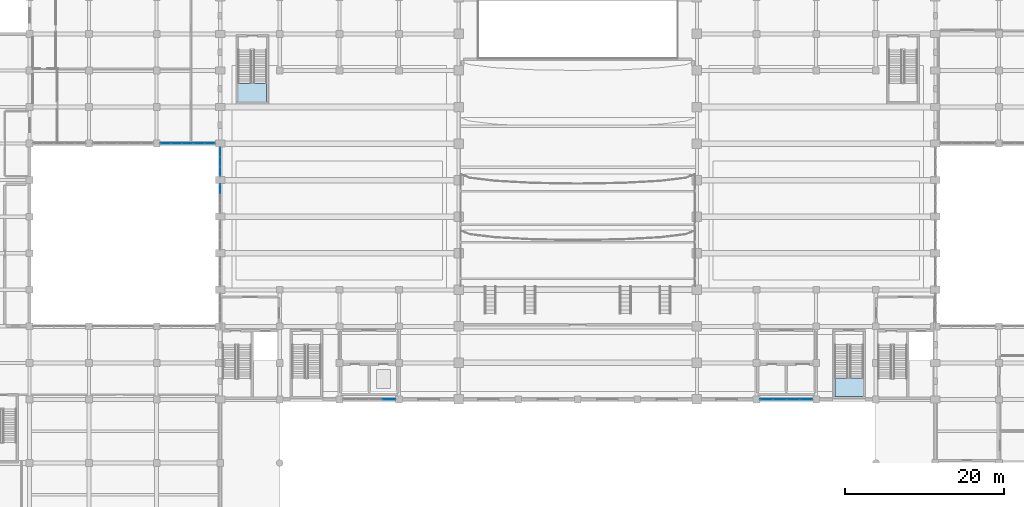
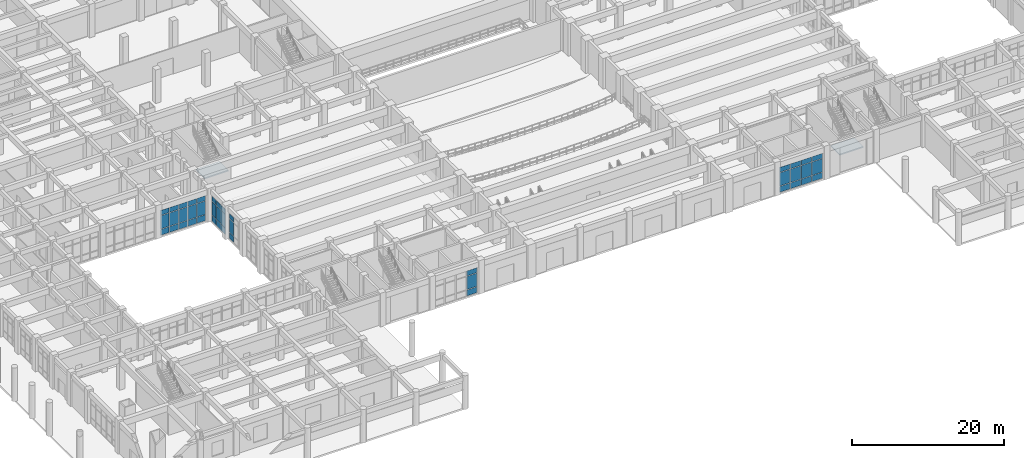
# One storey, part 55 of 84: 42 plates, 2 slabs, 7 elements without a shape of their own.
"""IFC4 building model written with IfcOpenShell, lengths in metres."""

from ifc_helpers import new_model, si_unit, direction, frame, origin, origin_2d, place, context, subcontext, project, spatial, polyline, rectangle, outline, extrude, material, layer, layer_set, type_object, element, aggregate, save


model = new_model("IFC4")

# Units and contexts
model_context = context("Model", 3, precision=1e-05, world=origin(), true_north=direction((0.0, 1.0)))
body_context = subcontext(model_context, "Body", "Model", "MODEL_VIEW")
ifc_project = project(units=[si_unit("LENGTHUNIT", "METRE"), si_unit("AREAUNIT", "SQUARE_METRE"), si_unit("VOLUMEUNIT", "CUBIC_METRE"), si_unit("PLANEANGLEUNIT", "RADIAN"), si_unit("MASSUNIT", "GRAM", prefix="KILO")], contexts=[model_context])

# Site, building, storey
site_placement = place(None, origin())
site = spatial("IfcSite", under=ifc_project, at=site_placement, CompositionType="ELEMENT")
building_placement = place(site_placement, origin())
building = spatial("IfcBuilding", under=site, at=building_placement, Name="Muzn Square Opera House", CompositionType="ELEMENT")
storey_placement = place(building_placement, origin())
storey = spatial("IfcBuildingStorey", under=building, at=storey_placement, Name="L00", CompositionType="ELEMENT", Elevation=0.0)

# Curtain wall, plates
ifc_material_1 = material(Name="Low-E laminated acoustic double glazing", Category="glass")
ifc_layer_1 = layer(ifc_material_1, 0.159912109375, Name="Low-E laminated acoustic double glazing", Category="glass")
ifc_layer_set_1 = layer_set([ifc_layer_1], Name="Low-E laminated acoustic double glazing")
curtain_wall_type_1 = type_object("IfcCurtainWallType", Name="Glazed Curtain Wall Forecourt 6650x4150", PredefinedType="USERDEFINED", material=ifc_layer_set_1)
curtain_wall_1_placement = place(storey_placement, origin())
curtain_wall_1 = element("IfcCurtainWall", 1, at=curtain_wall_1_placement, inside=storey, type_object=curtain_wall_type_1, Name="Glazed Curtain Wall CW-L00-001", ObjectType="GLAZED CURTAIN WALL", PredefinedType="USERDEFINED")
ifc_layer_2 = layer(ifc_material_1, 0.035888671875, Name="Low-E laminated acoustic double glazing", Category="glass")
ifc_layer_set_2 = layer_set([ifc_layer_2], Name="Low-E laminated acoustic double glazing")
plate_type = type_object("IfcPlateType", Name="Curtain Wall Solar Glazed Panel 36mm", PredefinedType="CURTAIN_PANEL", material=ifc_layer_set_2)
plate_1_placement = place(storey_placement, frame((64.226318359375, 22.0, 0.06982421875), z_axis=(0.0, 0.0, 1.0), x_axis=(1.0, 0.0, 0.0)))
plate_1 = element("IfcPlate", 2, at=plate_1_placement, type_object=plate_type, Name="CW-FC-66x41 panel 4.1", PredefinedType="CURTAIN_PANEL", context=body_context, shape_type="SweptSolid", body=[
    extrude(rectangle(XDim=1.5576171875, YDim=0.035888671875, at=origin_2d()), origin(), (0.0, 0.0, 1.0), 0.945068359375),
])
plate_2_placement = place(storey_placement, frame((64.226318359375, 22.0, 1.0849609375), z_axis=(0.0, 0.0, 1.0), x_axis=(1.0, 0.0, 0.0)))
plate_2 = element("IfcPlate", 3, at=plate_2_placement, type_object=plate_type, Name="CW-FC-66x41 panel 4.2", PredefinedType="CURTAIN_PANEL", context=body_context, shape_type="SweptSolid", body=[
    extrude(rectangle(XDim=1.5576171875, YDim=0.035888671875, at=origin_2d()), origin(), (0.0, 0.0, 1.0), 2.1298828125),
])
plate_3_placement = place(storey_placement, frame((64.226318359375, 22.0, 3.28515625), z_axis=(0.0, 0.0, 1.0), x_axis=(1.0, 0.0, 0.0)))
plate_3 = element("IfcPlate", 4, at=plate_3_placement, type_object=plate_type, Name="CW-FC-66x41 panel 4.3", PredefinedType="CURTAIN_PANEL", context=body_context, shape_type="SweptSolid", body=[
    extrude(rectangle(XDim=1.5576171875, YDim=0.035888671875, at=origin_2d()), origin(), (0.0, 0.0, 1.0), 0.794921875),
])
aggregate(curtain_wall_1, [plate_1, plate_2, plate_3])

curtain_wall_2_placement = place(storey_placement, origin())
curtain_wall_2 = element("IfcCurtainWall", 5, at=curtain_wall_2_placement, inside=storey, type_object=curtain_wall_type_1, Name="Glazed Curtain Wall CW-L00-002", ObjectType="GLAZED CURTAIN WALL", PredefinedType="USERDEFINED")
plate_4_placement = place(storey_placement, frame((111.773681640625, 22.0, 0.06982421875), z_axis=(0.0, 0.0, 1.0), x_axis=(1.0, 0.0, 0.0)))
plate_4 = element("IfcPlate", 6, at=plate_4_placement, type_object=plate_type, Name="CW-FC-66x41 panel 1.1", PredefinedType="CURTAIN_PANEL", context=body_context, shape_type="SweptSolid", body=[
    extrude(rectangle(XDim=1.5576171875, YDim=0.035888671875, at=origin_2d()), origin(), (0.0, 0.0, 1.0), 0.945068359375),
])
plate_5_placement = place(storey_placement, frame((111.773681640625, 22.0, 1.0849609375), z_axis=(0.0, 0.0, 1.0), x_axis=(1.0, 0.0, 0.0)))
plate_5 = element("IfcPlate", 7, at=plate_5_placement, type_object=plate_type, Name="CW-FC-66x41 panel 1.2", PredefinedType="CURTAIN_PANEL", context=body_context, shape_type="SweptSolid", body=[
    extrude(rectangle(XDim=1.5576171875, YDim=0.035888671875, at=origin_2d()), origin(), (0.0, 0.0, 1.0), 2.1298828125),
])
plate_6_placement = place(storey_placement, frame((111.773681640625, 22.0, 3.28515625), z_axis=(0.0, 0.0, 1.0), x_axis=(1.0, 0.0, 0.0)))
plate_6 = element("IfcPlate", 8, at=plate_6_placement, type_object=plate_type, Name="CW-FC-66x41 panel 1.3", PredefinedType="CURTAIN_PANEL", context=body_context, shape_type="SweptSolid", body=[
    extrude(rectangle(XDim=1.5576171875, YDim=0.035888671875, at=origin_2d()), origin(), (0.0, 0.0, 1.0), 0.794921875),
])
plate_7_placement = place(storey_placement, frame((113.418701171875, 22.0, 0.06982421875), z_axis=(0.0, 0.0, 1.0), x_axis=(1.0, 0.0, 0.0)))
plate_7 = element("IfcPlate", 9, at=plate_7_placement, type_object=plate_type, Name="CW-FC-66x41 panel 2.1", PredefinedType="CURTAIN_PANEL", context=body_context, shape_type="SweptSolid", body=[
    extrude(rectangle(XDim=1.592529296875, YDim=0.035888671875, at=origin_2d()), origin(), (0.0, 0.0, 1.0), 0.945068359375),
])
plate_8_placement = place(storey_placement, frame((113.418701171875, 22.0, 1.0849609375), z_axis=(0.0, 0.0, 1.0), x_axis=(1.0, 0.0, 0.0)))
plate_8 = element("IfcPlate", 10, at=plate_8_placement, type_object=plate_type, Name="CW-FC-66x41 panel 2.2", PredefinedType="CURTAIN_PANEL", context=body_context, shape_type="SweptSolid", body=[
    extrude(rectangle(XDim=1.592529296875, YDim=0.035888671875, at=origin_2d()), origin(), (0.0, 0.0, 1.0), 2.1298828125),
])
plate_9_placement = place(storey_placement, frame((113.418701171875, 22.0, 3.28515625), z_axis=(0.0, 0.0, 1.0), x_axis=(1.0, 0.0, 0.0)))
plate_9 = element("IfcPlate", 11, at=plate_9_placement, type_object=plate_type, Name="CW-FC-66x41 panel 2.3", PredefinedType="CURTAIN_PANEL", context=body_context, shape_type="SweptSolid", body=[
    extrude(rectangle(XDim=1.592529296875, YDim=0.035888671875, at=origin_2d()), origin(), (0.0, 0.0, 1.0), 0.794921875),
])
plate_10_placement = place(storey_placement, frame((115.081298828125, 22.0, 0.06982421875), z_axis=(0.0, 0.0, 1.0), x_axis=(1.0, 0.0, 0.0)))
plate_10 = element("IfcPlate", 12, at=plate_10_placement, type_object=plate_type, Name="CW-FC-66x41 panel 3.1", PredefinedType="CURTAIN_PANEL", context=body_context, shape_type="SweptSolid", body=[
    extrude(rectangle(XDim=1.592529296875, YDim=0.035888671875, at=origin_2d()), origin(), (0.0, 0.0, 1.0), 0.945068359375),
])
plate_11_placement = place(storey_placement, frame((115.081298828125, 22.0, 1.0849609375), z_axis=(0.0, 0.0, 1.0), x_axis=(1.0, 0.0, 0.0)))
plate_11 = element("IfcPlate", 13, at=plate_11_placement, type_object=plate_type, Name="CW-FC-66x41 panel 3.2", PredefinedType="CURTAIN_PANEL", context=body_context, shape_type="SweptSolid", body=[
    extrude(rectangle(XDim=1.592529296875, YDim=0.035888671875, at=origin_2d()), origin(), (0.0, 0.0, 1.0), 2.1298828125),
])
plate_12_placement = place(storey_placement, frame((115.081298828125, 22.0, 3.28515625), z_axis=(0.0, 0.0, 1.0), x_axis=(1.0, 0.0, 0.0)))
plate_12 = element("IfcPlate", 14, at=plate_12_placement, type_object=plate_type, Name="CW-FC-66x41 panel 3.3", PredefinedType="CURTAIN_PANEL", context=body_context, shape_type="SweptSolid", body=[
    extrude(rectangle(XDim=1.592529296875, YDim=0.035888671875, at=origin_2d()), origin(), (0.0, 0.0, 1.0), 0.794921875),
])
plate_13_placement = place(storey_placement, frame((116.726318359375, 22.0, 0.06982421875), z_axis=(0.0, 0.0, 1.0), x_axis=(1.0, 0.0, 0.0)))
plate_13 = element("IfcPlate", 15, at=plate_13_placement, type_object=plate_type, Name="CW-FC-66x41 panel 4.1", PredefinedType="CURTAIN_PANEL", context=body_context, shape_type="SweptSolid", body=[
    extrude(rectangle(XDim=1.5576171875, YDim=0.035888671875, at=origin_2d()), origin(), (0.0, 0.0, 1.0), 0.945068359375),
])
plate_14_placement = place(storey_placement, frame((116.726318359375, 22.0, 1.0849609375), z_axis=(0.0, 0.0, 1.0), x_axis=(1.0, 0.0, 0.0)))
plate_14 = element("IfcPlate", 16, at=plate_14_placement, type_object=plate_type, Name="CW-FC-66x41 panel 4.2", PredefinedType="CURTAIN_PANEL", context=body_context, shape_type="SweptSolid", body=[
    extrude(rectangle(XDim=1.5576171875, YDim=0.035888671875, at=origin_2d()), origin(), (0.0, 0.0, 1.0), 2.1298828125),
])
plate_15_placement = place(storey_placement, frame((116.726318359375, 22.0, 3.28515625), z_axis=(0.0, 0.0, 1.0), x_axis=(1.0, 0.0, 0.0)))
plate_15 = element("IfcPlate", 17, at=plate_15_placement, type_object=plate_type, Name="CW-FC-66x41 panel 4.3", PredefinedType="CURTAIN_PANEL", context=body_context, shape_type="SweptSolid", body=[
    extrude(rectangle(XDim=1.5576171875, YDim=0.035888671875, at=origin_2d()), origin(), (0.0, 0.0, 1.0), 0.794921875),
])
aggregate(curtain_wall_2, [plate_4, plate_5, plate_6, plate_7, plate_8, plate_9, plate_10, plate_11, plate_12, plate_13, plate_14, plate_15])

ifc_layer_3 = layer(ifc_material_1, 0.159912109375, Name="Low-E laminated acoustic double glazing", Category="glass")
ifc_layer_set_3 = layer_set([ifc_layer_3], Name="Low-E laminated acoustic double glazing")
curtain_wall_type_2 = type_object("IfcCurtainWallType", Name="Glazed Curtain Wall WestVaultCourt 3700x4150", PredefinedType="USERDEFINED", material=ifc_layer_set_3)
curtain_wall_3_placement = place(storey_placement, origin())
curtain_wall_3 = element("IfcCurtainWall", 18, at=curtain_wall_3_placement, inside=storey, type_object=curtain_wall_type_2, Name="Glazed Curtain Wall CW-L00-035", ObjectType="GLAZED CURTAIN WALL", PredefinedType="USERDEFINED")
plate_16_placement = place(storey_placement, frame((43.0, 48.515869140625, 0.06982421875), z_axis=(0.0, 0.0, 1.0), x_axis=(0.0, 1.0, 0.0)))
plate_16 = element("IfcPlate", 19, at=plate_16_placement, type_object=plate_type, Name="CW-WVC-37x41 panel 3.1", PredefinedType="CURTAIN_PANEL", context=body_context, shape_type="SweptSolid", body=[
    extrude(rectangle(XDim=1.12841796875, YDim=0.035888671875, at=origin_2d()), origin(), (0.0, 0.0, 1.0), 0.945068359375),
])
plate_17_placement = place(storey_placement, frame((43.0, 48.515869140625, 1.0849609375), z_axis=(0.0, 0.0, 1.0), x_axis=(0.0, 1.0, 0.0)))
plate_17 = element("IfcPlate", 20, at=plate_17_placement, type_object=plate_type, Name="CW-WVC-37x41 panel 3.2", PredefinedType="CURTAIN_PANEL", context=body_context, shape_type="SweptSolid", body=[
    extrude(rectangle(XDim=1.12841796875, YDim=0.035888671875, at=origin_2d()), origin(), (0.0, 0.0, 1.0), 2.1298828125),
])
plate_18_placement = place(storey_placement, frame((43.0, 48.515869140625, 3.28515625), z_axis=(0.0, 0.0, 1.0), x_axis=(0.0, 1.0, 0.0)))
plate_18 = element("IfcPlate", 21, at=plate_18_placement, type_object=plate_type, Name="CW-WVC-37x41 panel 3.3", PredefinedType="CURTAIN_PANEL", context=body_context, shape_type="SweptSolid", body=[
    extrude(rectangle(XDim=1.12841796875, YDim=0.035888671875, at=origin_2d()), origin(), (0.0, 0.0, 1.0), 0.794921875),
])
aggregate(curtain_wall_3, [plate_16, plate_17, plate_18])

curtain_wall_4_placement = place(storey_placement, origin())
curtain_wall_4 = element("IfcCurtainWall", 22, at=curtain_wall_4_placement, inside=storey, type_object=curtain_wall_type_2, Name="Glazed Curtain Wall CW-L00-037", ObjectType="GLAZED CURTAIN WALL", PredefinedType="USERDEFINED")
plate_19_placement = place(storey_placement, frame((43.0, 50.68408203125, 0.06982421875), z_axis=(0.0, 0.0, 1.0), x_axis=(0.0, 1.0, 0.0)))
plate_19 = element("IfcPlate", 23, at=plate_19_placement, type_object=plate_type, Name="CW-WVC-37x41 panel 1.1", PredefinedType="CURTAIN_PANEL", context=body_context, shape_type="SweptSolid", body=[
    extrude(rectangle(XDim=1.12841796875, YDim=0.035888671875, at=origin_2d()), origin(), (0.0, 0.0, 1.0), 0.945068359375),
])
plate_20_placement = place(storey_placement, frame((43.0, 50.68408203125, 1.0849609375), z_axis=(0.0, 0.0, 1.0), x_axis=(0.0, 1.0, 0.0)))
plate_20 = element("IfcPlate", 24, at=plate_20_placement, type_object=plate_type, Name="CW-WVC-37x41 panel 1.2", PredefinedType="CURTAIN_PANEL", context=body_context, shape_type="SweptSolid", body=[
    extrude(rectangle(XDim=1.12841796875, YDim=0.035888671875, at=origin_2d()), origin(), (0.0, 0.0, 1.0), 2.1298828125),
])
plate_21_placement = place(storey_placement, frame((43.0, 50.68408203125, 3.28515625), z_axis=(0.0, 0.0, 1.0), x_axis=(0.0, 1.0, 0.0)))
plate_21 = element("IfcPlate", 25, at=plate_21_placement, type_object=plate_type, Name="CW-WVC-37x41 panel 1.3", PredefinedType="CURTAIN_PANEL", context=body_context, shape_type="SweptSolid", body=[
    extrude(rectangle(XDim=1.12841796875, YDim=0.035888671875, at=origin_2d()), origin(), (0.0, 0.0, 1.0), 0.794921875),
])
plate_22_placement = place(storey_placement, frame((43.0, 51.89990234375, 0.06982421875), z_axis=(0.0, 0.0, 1.0), x_axis=(0.0, 1.0, 0.0)))
plate_22 = element("IfcPlate", 26, at=plate_22_placement, type_object=plate_type, Name="CW-WVC-37x41 panel 2.1", PredefinedType="CURTAIN_PANEL", context=body_context, shape_type="SweptSolid", body=[
    extrude(rectangle(XDim=1.163330078125, YDim=0.035888671875, at=origin_2d()), origin(), (0.0, 0.0, 1.0), 0.945068359375),
])
plate_23_placement = place(storey_placement, frame((43.0, 51.89990234375, 1.0849609375), z_axis=(0.0, 0.0, 1.0), x_axis=(0.0, 1.0, 0.0)))
plate_23 = element("IfcPlate", 27, at=plate_23_placement, type_object=plate_type, Name="CW-WVC-37x41 panel 2.2", PredefinedType="CURTAIN_PANEL", context=body_context, shape_type="SweptSolid", body=[
    extrude(rectangle(XDim=1.163330078125, YDim=0.035888671875, at=origin_2d()), origin(), (0.0, 0.0, 1.0), 2.1298828125),
])
plate_24_placement = place(storey_placement, frame((43.0, 51.89990234375, 3.28515625), z_axis=(0.0, 0.0, 1.0), x_axis=(0.0, 1.0, 0.0)))
plate_24 = element("IfcPlate", 28, at=plate_24_placement, type_object=plate_type, Name="CW-WVC-37x41 panel 2.3", PredefinedType="CURTAIN_PANEL", context=body_context, shape_type="SweptSolid", body=[
    extrude(rectangle(XDim=1.163330078125, YDim=0.035888671875, at=origin_2d()), origin(), (0.0, 0.0, 1.0), 0.794921875),
])
plate_25_placement = place(storey_placement, frame((43.0, 53.11572265625, 0.06982421875), z_axis=(0.0, 0.0, 1.0), x_axis=(0.0, 1.0, 0.0)))
plate_25 = element("IfcPlate", 29, at=plate_25_placement, type_object=plate_type, Name="CW-WVC-37x41 panel 3.1", PredefinedType="CURTAIN_PANEL", context=body_context, shape_type="SweptSolid", body=[
    extrude(rectangle(XDim=1.12841796875, YDim=0.035888671875, at=origin_2d()), origin(), (0.0, 0.0, 1.0), 0.945068359375),
])
plate_26_placement = place(storey_placement, frame((43.0, 53.11572265625, 1.0849609375), z_axis=(0.0, 0.0, 1.0), x_axis=(0.0, 1.0, 0.0)))
plate_26 = element("IfcPlate", 30, at=plate_26_placement, type_object=plate_type, Name="CW-WVC-37x41 panel 3.2", PredefinedType="CURTAIN_PANEL", context=body_context, shape_type="SweptSolid", body=[
    extrude(rectangle(XDim=1.12841796875, YDim=0.035888671875, at=origin_2d()), origin(), (0.0, 0.0, 1.0), 2.1298828125),
])
plate_27_placement = place(storey_placement, frame((43.0, 53.11572265625, 3.28515625), z_axis=(0.0, 0.0, 1.0), x_axis=(0.0, 1.0, 0.0)))
plate_27 = element("IfcPlate", 31, at=plate_27_placement, type_object=plate_type, Name="CW-WVC-37x41 panel 3.3", PredefinedType="CURTAIN_PANEL", context=body_context, shape_type="SweptSolid", body=[
    extrude(rectangle(XDim=1.12841796875, YDim=0.035888671875, at=origin_2d()), origin(), (0.0, 0.0, 1.0), 0.794921875),
])
aggregate(curtain_wall_4, [plate_19, plate_20, plate_21, plate_22, plate_23, plate_24, plate_25, plate_26, plate_27])

ifc_layer_4 = layer(ifc_material_1, 0.159912109375, Name="Low-E laminated acoustic double glazing", Category="glass")
ifc_layer_set_4 = layer_set([ifc_layer_4], Name="Low-E laminated acoustic double glazing")
curtain_wall_type_3 = type_object("IfcCurtainWallType", Name="Glazed Curtain Wall WestCloisterN 6975x4150", PredefinedType="USERDEFINED", material=ifc_layer_set_4)
curtain_wall_5_placement = place(storey_placement, origin())
curtain_wall_5 = element("IfcCurtainWall", 32, at=curtain_wall_5_placement, inside=storey, type_object=curtain_wall_type_3, Name="Glazed Curtain Wall CW-L00-074", ObjectType="GLAZED CURTAIN WALL", PredefinedType="USERDEFINED")
plate_28_placement = place(storey_placement, frame((36.139892578125, 54.199951171875, 0.06982421875), z_axis=(0.0, 0.0, 1.0), x_axis=(1.0, 0.0, 0.0)))
plate_28 = element("IfcPlate", 33, at=plate_28_placement, type_object=plate_type, Name="CW-WCN-69x41 panel 1.1", PredefinedType="CURTAIN_PANEL", context=body_context, shape_type="SweptSolid", body=[
    extrude(rectangle(XDim=1.2900390625, YDim=0.035888671875, at=origin_2d()), origin(), (0.0, 0.0, 1.0), 0.945068359375),
])
plate_29_placement = place(storey_placement, frame((36.139892578125, 54.199951171875, 1.0849609375), z_axis=(0.0, 0.0, 1.0), x_axis=(1.0, 0.0, 0.0)))
plate_29 = element("IfcPlate", 34, at=plate_29_placement, type_object=plate_type, Name="CW-WCN-69x41 panel 1.2", PredefinedType="CURTAIN_PANEL", context=body_context, shape_type="SweptSolid", body=[
    extrude(rectangle(XDim=1.2900390625, YDim=0.035888671875, at=origin_2d()), origin(), (0.0, 0.0, 1.0), 2.1298828125),
])
plate_30_placement = place(storey_placement, frame((36.139892578125, 54.199951171875, 3.28515625), z_axis=(0.0, 0.0, 1.0), x_axis=(1.0, 0.0, 0.0)))
plate_30 = element("IfcPlate", 35, at=plate_30_placement, type_object=plate_type, Name="CW-WCN-69x41 panel 1.3", PredefinedType="CURTAIN_PANEL", context=body_context, shape_type="SweptSolid", body=[
    extrude(rectangle(XDim=1.2900390625, YDim=0.035888671875, at=origin_2d()), origin(), (0.0, 0.0, 1.0), 0.794921875),
])
plate_31_placement = place(storey_placement, frame((37.517578125, 54.199951171875, 0.06982421875), z_axis=(0.0, 0.0, 1.0), x_axis=(1.0, 0.0, 0.0)))
plate_31 = element("IfcPlate", 36, at=plate_31_placement, type_object=plate_type, Name="CW-WCN-69x41 panel 2.1", PredefinedType="CURTAIN_PANEL", context=body_context, shape_type="SweptSolid", body=[
    extrude(rectangle(XDim=1.324951171875, YDim=0.035888671875, at=origin_2d()), origin(), (0.0, 0.0, 1.0), 0.945068359375),
])
plate_32_placement = place(storey_placement, frame((37.517578125, 54.199951171875, 1.0849609375), z_axis=(0.0, 0.0, 1.0), x_axis=(1.0, 0.0, 0.0)))
plate_32 = element("IfcPlate", 37, at=plate_32_placement, type_object=plate_type, Name="CW-WCN-69x41 panel 2.2", PredefinedType="CURTAIN_PANEL", context=body_context, shape_type="SweptSolid", body=[
    extrude(rectangle(XDim=1.324951171875, YDim=0.035888671875, at=origin_2d()), origin(), (0.0, 0.0, 1.0), 2.1298828125),
])
plate_33_placement = place(storey_placement, frame((37.517578125, 54.199951171875, 3.28515625), z_axis=(0.0, 0.0, 1.0), x_axis=(1.0, 0.0, 0.0)))
plate_33 = element("IfcPlate", 38, at=plate_33_placement, type_object=plate_type, Name="CW-WCN-69x41 panel 2.3", PredefinedType="CURTAIN_PANEL", context=body_context, shape_type="SweptSolid", body=[
    extrude(rectangle(XDim=1.324951171875, YDim=0.035888671875, at=origin_2d()), origin(), (0.0, 0.0, 1.0), 0.794921875),
])
plate_34_placement = place(storey_placement, frame((38.91259765625, 54.199951171875, 0.06982421875), z_axis=(0.0, 0.0, 1.0), x_axis=(1.0, 0.0, 0.0)))
plate_34 = element("IfcPlate", 39, at=plate_34_placement, type_object=plate_type, Name="CW-WCN-69x41 panel 3.1", PredefinedType="CURTAIN_PANEL", context=body_context, shape_type="SweptSolid", body=[
    extrude(rectangle(XDim=1.324951171875, YDim=0.035888671875, at=origin_2d()), origin(), (0.0, 0.0, 1.0), 0.945068359375),
])
plate_35_placement = place(storey_placement, frame((38.91259765625, 54.199951171875, 1.0849609375), z_axis=(0.0, 0.0, 1.0), x_axis=(1.0, 0.0, 0.0)))
plate_35 = element("IfcPlate", 40, at=plate_35_placement, type_object=plate_type, Name="CW-WCN-69x41 panel 3.2", PredefinedType="CURTAIN_PANEL", context=body_context, shape_type="SweptSolid", body=[
    extrude(rectangle(XDim=1.324951171875, YDim=0.035888671875, at=origin_2d()), origin(), (0.0, 0.0, 1.0), 2.1298828125),
])
plate_36_placement = place(storey_placement, frame((38.91259765625, 54.199951171875, 3.28515625), z_axis=(0.0, 0.0, 1.0), x_axis=(1.0, 0.0, 0.0)))
plate_36 = element("IfcPlate", 41, at=plate_36_placement, type_object=plate_type, Name="CW-WCN-69x41 panel 3.3", PredefinedType="CURTAIN_PANEL", context=body_context, shape_type="SweptSolid", body=[
    extrude(rectangle(XDim=1.324951171875, YDim=0.035888671875, at=origin_2d()), origin(), (0.0, 0.0, 1.0), 0.794921875),
])
plate_37_placement = place(storey_placement, frame((40.3076171875, 54.199951171875, 0.06982421875), z_axis=(0.0, 0.0, 1.0), x_axis=(1.0, 0.0, 0.0)))
plate_37 = element("IfcPlate", 42, at=plate_37_placement, type_object=plate_type, Name="CW-WCN-69x41 panel 4.1", PredefinedType="CURTAIN_PANEL", context=body_context, shape_type="SweptSolid", body=[
    extrude(rectangle(XDim=1.324951171875, YDim=0.035888671875, at=origin_2d()), origin(), (0.0, 0.0, 1.0), 0.945068359375),
])
plate_38_placement = place(storey_placement, frame((40.3076171875, 54.199951171875, 1.0849609375), z_axis=(0.0, 0.0, 1.0), x_axis=(1.0, 0.0, 0.0)))
plate_38 = element("IfcPlate", 43, at=plate_38_placement, type_object=plate_type, Name="CW-WCN-69x41 panel 4.2", PredefinedType="CURTAIN_PANEL", context=body_context, shape_type="SweptSolid", body=[
    extrude(rectangle(XDim=1.324951171875, YDim=0.035888671875, at=origin_2d()), origin(), (0.0, 0.0, 1.0), 2.1298828125),
])
plate_39_placement = place(storey_placement, frame((40.3076171875, 54.199951171875, 3.28515625), z_axis=(0.0, 0.0, 1.0), x_axis=(1.0, 0.0, 0.0)))
plate_39 = element("IfcPlate", 44, at=plate_39_placement, type_object=plate_type, Name="CW-WCN-69x41 panel 4.3", PredefinedType="CURTAIN_PANEL", context=body_context, shape_type="SweptSolid", body=[
    extrude(rectangle(XDim=1.324951171875, YDim=0.035888671875, at=origin_2d()), origin(), (0.0, 0.0, 1.0), 0.794921875),
])
plate_40_placement = place(storey_placement, frame((41.68505859375, 54.199951171875, 0.06982421875), z_axis=(0.0, 0.0, 1.0), x_axis=(1.0, 0.0, 0.0)))
plate_40 = element("IfcPlate", 45, at=plate_40_placement, type_object=plate_type, Name="CW-WCN-69x41 panel 5.1", PredefinedType="CURTAIN_PANEL", context=body_context, shape_type="SweptSolid", body=[
    extrude(rectangle(XDim=1.2900390625, YDim=0.035888671875, at=origin_2d()), origin(), (0.0, 0.0, 1.0), 0.945068359375),
])
plate_41_placement = place(storey_placement, frame((41.68505859375, 54.199951171875, 1.0849609375), z_axis=(0.0, 0.0, 1.0), x_axis=(1.0, 0.0, 0.0)))
plate_41 = element("IfcPlate", 46, at=plate_41_placement, type_object=plate_type, Name="CW-WCN-69x41 panel 5.2", PredefinedType="CURTAIN_PANEL", context=body_context, shape_type="SweptSolid", body=[
    extrude(rectangle(XDim=1.2900390625, YDim=0.035888671875, at=origin_2d()), origin(), (0.0, 0.0, 1.0), 2.1298828125),
])
plate_42_placement = place(storey_placement, frame((41.68505859375, 54.199951171875, 3.28515625), z_axis=(0.0, 0.0, 1.0), x_axis=(1.0, 0.0, 0.0)))
plate_42 = element("IfcPlate", 47, at=plate_42_placement, type_object=plate_type, Name="CW-WCN-69x41 panel 5.3", PredefinedType="CURTAIN_PANEL", context=body_context, shape_type="SweptSolid", body=[
    extrude(rectangle(XDim=1.2900390625, YDim=0.035888671875, at=origin_2d()), origin(), (0.0, 0.0, 1.0), 0.794921875),
])
aggregate(curtain_wall_5, [plate_28, plate_29, plate_30, plate_31, plate_32, plate_33, plate_34, plate_35, plate_36, plate_37, plate_38, plate_39, plate_40, plate_41, plate_42])

# Stair, slab
ifc_material_2 = material(Name="Concrete C40/50", Category="concrete")
stair_type = type_object("IfcStairType", Name="Core Escape Dogleg Stair", PredefinedType="HALF_TURN_STAIR", material=ifc_material_2)
stair_1_placement = place(storey_placement, origin())
stair_1 = element("IfcStair", 48, at=stair_1_placement, inside=storey, type_object=stair_type, Name="L00 Escape Stair ST-9", PredefinedType="HALF_TURN_STAIR")
ifc_layer_5 = layer(ifc_material_2, 0.199951171875, Name="Concrete C40/50", Category="concrete")
ifc_layer_set_5 = layer_set([ifc_layer_5], Name="Concrete C40/50")
slab_type = type_object("IfcSlabType", Name="Stair Half Landing 200mm", PredefinedType="LANDING", material=ifc_layer_set_5)
slab_1_placement = place(storey_placement, frame((0.0, 0.0, 2.5)))
slab_1 = element("IfcSlab", 49, at=slab_1_placement, type_object=slab_type, Name="ST-9 landing 1", PredefinedType="LANDING", context=body_context, shape_type="SweptSolid", body=[
    extrude(outline(polyline([(45.25, 61.7900390625), (45.25, 59.449951171875), (48.85009765625, 59.449951171875), (48.85009765625, 61.7900390625), (45.25, 61.7900390625)])), origin(), (0.0, 0.0, 1.0), 0.199951171875),
])
aggregate(stair_1, [slab_1])

stair_2_placement = place(storey_placement, origin())
stair_2 = element("IfcStair", 50, at=stair_2_placement, inside=storey, type_object=stair_type, Name="L00 Escape Stair ST-12", PredefinedType="HALF_TURN_STAIR")
slab_2_placement = place(storey_placement, frame((0.0, 0.0, 2.5)))
slab_2 = element("IfcSlab", 51, at=slab_2_placement, type_object=slab_type, Name="ST-12 landing 1", PredefinedType="LANDING", context=body_context, shape_type="SweptSolid", body=[
    extrude(outline(polyline([(120.35009765625, 24.68994140625), (120.35009765625, 22.35009765625), (123.949951171875, 22.35009765625), (123.949951171875, 24.68994140625), (120.35009765625, 24.68994140625)])), origin(), (0.0, 0.0, 1.0), 0.199951171875),
])
aggregate(stair_2, [slab_2])

save(model, "model.ifc")
